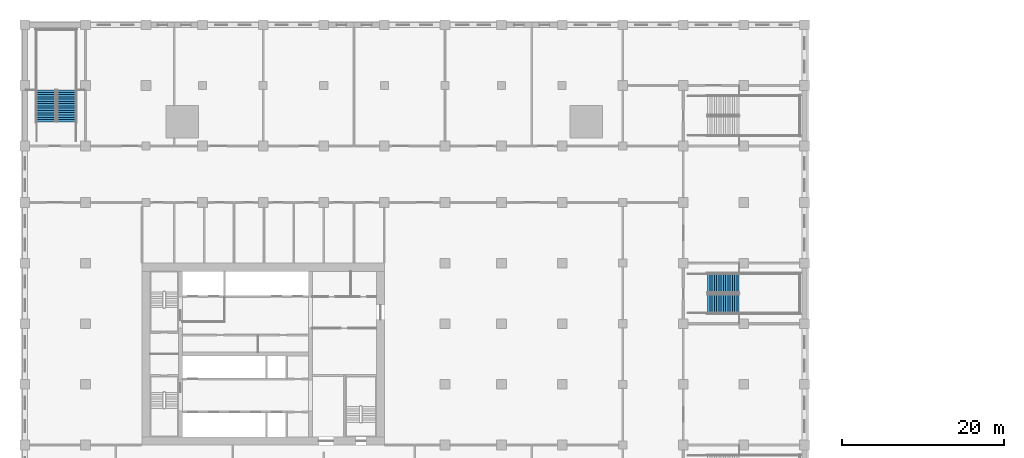
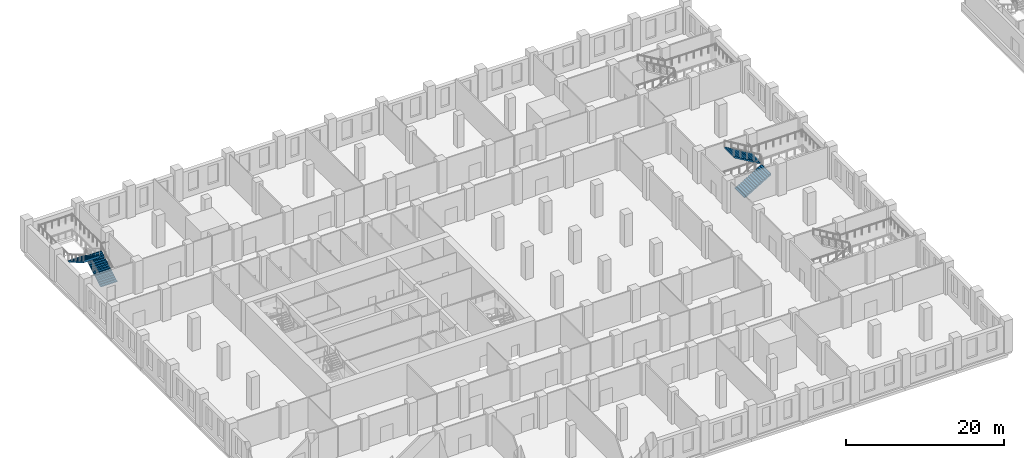
# One storey, part 17 of 32: 4 stair flights, 2 elements without a shape of their own.
"""IFC4 building model written with IfcOpenShell, lengths in metres."""

import ifcopenshell
import ifcopenshell.guid

model = None  # the IFC model being written
_history = None  # IfcOwnerHistory: only IFC2X3 demands one
_inside = {}  # id of a spatial element -> (the spatial element, [elements in it])
_under = {}  # id of a project, library or spatial element -> (it, [spatial elements below it])
_declared = {}  # id of a project -> (the project, [libraries it declares])
_typed = {}  # id of a type object -> (the type object, [elements of that type])
_made_of = {}  # id of a material, layer set ... -> (it, [elements and type objects made of it])


def new_model(schema):
    """Start an empty IFC model of exactly this schema.

    Asked for "IFC4X3", IfcOpenShell would pick the latest addendum, in which some entities
    have other attributes; the version numbers below select the first issue.
    IFC2X3 requires an IfcOwnerHistory on every rooted entity: one is made here for all.
    """
    global model, _history
    if schema == "IFC4X3":
        model = ifcopenshell.file(schema_version=(4, 3, 0, 0))
    else:
        model = ifcopenshell.file(schema=schema)
    _inside.clear()
    _under.clear()
    _declared.clear()
    _typed.clear()
    _made_of.clear()
    _history = None
    if model.schema == "IFC2X3":
        org = make("IfcOrganization", Name="unknown")
        user = make(
            "IfcPersonAndOrganization",
            ThePerson=make("IfcPerson", FamilyName="unknown"),
            TheOrganization=org,
        )
        app = make(
            "IfcApplication",
            ApplicationDeveloper=org,
            Version="unknown",
            ApplicationFullName="unknown",
            ApplicationIdentifier="unknown",
        )
        _history = make(
            "IfcOwnerHistory",
            OwningUser=user,
            OwningApplication=app,
            ChangeAction="ADDED",
            CreationDate=0,
        )
    return model


def make(cls, **values):
    """One entity of the class cls with the attributes given. An attribute that is None is left unset."""
    return model.create_entity(
        cls, **{name: value for name, value in values.items() if value is not None}
    )


def rooted(cls, **values):
    """An entity with a GlobalId (a new one), such as an element, a storey or a relation."""
    return make(cls, GlobalId=ifcopenshell.guid.new(), OwnerHistory=_history, **values)


def si_unit(unit_type, name, prefix=None):
    """IfcSIUnit, for example si_unit("LENGTHUNIT", "METRE", prefix="MILLI")."""
    return make("IfcSIUnit", UnitType=unit_type, Prefix=prefix, Name=name)


def assignment(units):
    """IfcUnitAssignment: the units of a project."""
    return None if units is None else make("IfcUnitAssignment", Units=units)


def point(xyz):
    """IfcCartesianPoint."""
    return None if xyz is None else make("IfcCartesianPoint", Coordinates=xyz)


def direction(xyz):
    """IfcDirection."""
    return None if xyz is None else make("IfcDirection", DirectionRatios=xyz)


def frame(location, z_axis=None, x_axis=None):
    """IfcAxis2Placement3D, a coordinate frame: its origin and axes. An axis left out is left unset."""
    return make(
        "IfcAxis2Placement3D",
        Location=point(location),
        Axis=direction(z_axis),
        RefDirection=direction(x_axis),
    )


def origin():
    """The frame at (0, 0, 0) with its axes left unset."""
    return frame((0.0, 0.0, 0.0))


def place(relative_to, where):
    """IfcLocalPlacement: puts the frame where relative to a parent placement (None: the world)."""
    return make(
        "IfcLocalPlacement", PlacementRelTo=relative_to, RelativePlacement=where
    )


def context(
    kind, dimensions, precision=None, world=None, true_north=None, identifier=None
):
    """IfcGeometricRepresentationContext, for example the 3D "Model" context."""
    return make(
        "IfcGeometricRepresentationContext",
        ContextIdentifier=identifier,
        ContextType=kind,
        CoordinateSpaceDimension=dimensions,
        Precision=precision,
        WorldCoordinateSystem=world,
        TrueNorth=true_north,
    )


def subcontext(parent, identifier, kind, view, scale=None):
    """IfcGeometricRepresentationSubContext, for example "Body" below "Model"."""
    return make(
        "IfcGeometricRepresentationSubContext",
        ContextIdentifier=identifier,
        ContextType=kind,
        ParentContext=parent,
        TargetScale=scale,
        TargetView=view,
    )


def project(units=None, contexts=None):
    """IfcProject with its units and contexts."""
    return rooted(
        "IfcProject",
        Name="project",
        RepresentationContexts=contexts,
        UnitsInContext=assignment(units),
    )


def spatial(cls, under=None, at=None, **own):
    """A site, building, storey or space (cls), placed at a placement, below another one or the project."""
    s = rooted(cls, ObjectPlacement=at, **own)
    if under is not None:
        _under.setdefault(under.id(), (under, []))[1].append(s)
    return s


def polyline(points):
    """IfcPolyline through the points."""
    return make("IfcPolyline", Points=[point(p) for p in points])


def outline(outer, holes=None, kind="AREA"):
    """IfcArbitraryClosedProfileDef: a profile drawn as a closed curve; with holes, ...WithVoids."""
    if holes is None:
        return make("IfcArbitraryClosedProfileDef", ProfileType=kind, OuterCurve=outer)
    return make(
        "IfcArbitraryProfileDefWithVoids",
        ProfileType=kind,
        OuterCurve=outer,
        InnerCurves=holes,
    )


def extrude(swept, where, along, depth):
    """IfcExtrudedAreaSolid: the profile swept, set in the frame where, extruded along a direction by depth."""
    return make(
        "IfcExtrudedAreaSolid",
        SweptArea=swept,
        Position=where,
        ExtrudedDirection=direction(along),
        Depth=depth,
    )


def shape(context_of_items, identifier, shape_type, items):
    """IfcShapeRepresentation: the items that make up one representation, for example the "Body"."""
    return make(
        "IfcShapeRepresentation",
        ContextOfItems=context_of_items,
        RepresentationIdentifier=identifier,
        RepresentationType=shape_type,
        Items=items,
    )


def material(Name=None, Category=None):
    """IfcMaterial."""
    return make("IfcMaterial", Name=Name, Category=Category)


def made_of(thing, what):
    """Note that an element or type object is made of a material, layer set ...; save() writes the relation."""
    if what is not None:
        _made_of.setdefault(what.id(), (what, []))[1].append(thing)
    return thing


def type_object(cls, material=None, **own):
    """A type object (cls), such as IfcWallType, which elements share."""
    return made_of(rooted(cls, **own), material)


def element(
    cls,
    number,
    at=None,
    inside=None,
    cuts=None,
    type_object=None,
    material=None,
    context=None,
    identifier="Body",
    shape_type=None,
    held_by="IfcProductDefinitionShape",
    body=None,
    shapes=None,
    **own,
):
    """One element of the class cls, such as IfcWall. Its Tag is "e" and its number.

    at: its placement. inside: the storey or other place that contains it. cuts: it is an
    opening in that element (IfcRelVoidsElement). A single representation is given by context,
    identifier, shape_type and body (its items); several are given by shapes. held_by: the class
    of the entity that holds the representations. save() writes the other relations.
    """
    e = rooted(cls, Tag="e%d" % number, ObjectPlacement=at, **own)
    if body is not None:
        shapes = [shape(context, identifier, shape_type, body)]
    if shapes is not None:
        e.Representation = make(held_by, Representations=shapes)
    if inside is not None:
        _inside.setdefault(inside.id(), (inside, []))[1].append(e)
    if cuts is not None:
        rooted(
            "IfcRelVoidsElement", RelatingBuildingElement=cuts, RelatedOpeningElement=e
        )
    if type_object is not None:
        _typed.setdefault(type_object.id(), (type_object, []))[1].append(e)
    return made_of(e, material)


def aggregate(whole, parts):
    """IfcRelAggregates: a whole, such as a stair, and the parts it consists of."""
    return rooted("IfcRelAggregates", RelatingObject=whole, RelatedObjects=parts)


def save(model, path):
    """Write the relations noted so far, then the file.

    IfcRelAggregates (storeys below a building ...), IfcRelContainedInSpatialStructure (elements
    in a storey), IfcRelDefinesByType, IfcRelAssociatesMaterial and IfcRelDeclares: one each for
    every whole, place, type object, material and project.
    """
    for whole, parts in _under.values():
        aggregate(whole, parts)
    for where, things in _inside.values():
        rooted(
            "IfcRelContainedInSpatialStructure",
            RelatedElements=things,
            RelatingStructure=where,
        )
    for kind, things in _typed.values():
        rooted("IfcRelDefinesByType", RelatedObjects=things, RelatingType=kind)
    for what, things in _made_of.values():
        rooted("IfcRelAssociatesMaterial", RelatedObjects=things, RelatingMaterial=what)
    for by, libraries in _declared.values():
        rooted("IfcRelDeclares", RelatingContext=by, RelatedDefinitions=libraries)
    model.write(path)


model = new_model("IFC4")

# Units and contexts
model_context = context("Model", 3, precision=1e-05, world=origin(), true_north=direction((0.0, 1.0)))
body_context = subcontext(model_context, "Body", "Model", "MODEL_VIEW")
ifc_project = project(units=[si_unit("LENGTHUNIT", "METRE"), si_unit("AREAUNIT", "SQUARE_METRE"), si_unit("VOLUMEUNIT", "CUBIC_METRE"), si_unit("PLANEANGLEUNIT", "RADIAN"), si_unit("MASSUNIT", "GRAM", prefix="KILO")], contexts=[model_context])

# Site, building, storey
site_placement = place(None, origin())
site = spatial("IfcSite", under=ifc_project, at=site_placement, CompositionType="ELEMENT")
building_placement = place(site_placement, origin())
building = spatial("IfcBuilding", under=site, at=building_placement, Name="Tamorin Gate", CompositionType="ELEMENT")
storey_placement = place(building_placement, frame((0.0, 0.0, 18.5)))
storey = spatial("IfcBuildingStorey", under=building, at=storey_placement, Name="L03", CompositionType="ELEMENT", Elevation=18.5)

# Stair, stair flights
ifc_material = material(Name="Reinforced concrete C32/40", Category="concrete")
stair_type = type_object("IfcStairType", Name="Podium stair PS", PredefinedType="HALF_TURN_STAIR", material=ifc_material)
stair_1_placement = place(storey_placement, origin())
stair_1 = element("IfcStair", 1, at=stair_1_placement, inside=storey, type_object=stair_type, Name="L03 Podium stair PS2", PredefinedType="HALF_TURN_STAIR")
stair_flight_type = type_object("IfcStairFlightType", Name="Stair flight 2400", PredefinedType="STRAIGHT", material=ifc_material)
stair_flight_1_placement = place(storey_placement, frame((20.675048828125, 100.0, 0.0), z_axis=(0.0, 0.0, 1.0), x_axis=(0.0, 1.0, 0.0)))
stair_flight_1 = element("IfcStairFlight", 2, at=stair_flight_1_placement, type_object=stair_flight_type, Name="PS2 flight 1", NumberOfRisers=15, NumberOfTreads=14, PredefinedType="STRAIGHT", RiserHeight=0.166666667, TreadLength=0.28, context=body_context, shape_type="SweptSolid", body=[
    extrude(outline(polyline([(-0.00048828125, 0.0), (-0.00048828125, 0.001708984375), (-0.00048828125, 0.00341796875), (-0.00048828125, 0.0048828125), (-0.00048828125, 0.006591796875), (-0.00048828125, 0.00830078125), (-0.00048828125, 0.010009765625), (-0.00048828125, 0.011474609375), (-0.00048828125, 0.01318359375), (-0.00048828125, 0.014892578125), (-0.00048828125, 0.0166015625), (-0.00048828125, 0.01806640625), (-0.00048828125, 0.019775390625), (-0.00048828125, 0.021484375), (-0.00048828125, 0.023193359375), (-0.00048828125, 0.024658203125), (-0.00048828125, 0.0263671875), (-0.00048828125, 0.028076171875), (-0.00048828125, 0.02978515625), (-0.00048828125, 0.03125), (-0.00048828125, 0.032958984375), (-0.00048828125, 0.03466796875), (-0.00048828125, 0.036376953125), (-0.00048828125, 0.037841796875), (-0.00048828125, 0.03955078125), (-0.00048828125, 0.041259765625), (-0.00048828125, 0.04296875), (-0.00048828125, 0.04443359375), (-0.00048828125, 0.046142578125), (-0.00048828125, 0.0478515625), (-0.00048828125, 0.049560546875), (-0.00048828125, 0.05126953125), (-0.00048828125, 0.052734375), (-0.00048828125, 0.054443359375), (-0.00048828125, 0.05615234375), (-0.00048828125, 0.057861328125), (-0.00048828125, 0.059326171875), (-0.00048828125, 0.06103515625), (-0.00048828125, 0.062744140625), (-0.00048828125, 0.064453125), (-0.00048828125, 0.06591796875), (-0.00048828125, 0.067626953125), (-0.00048828125, 0.0693359375), (-0.00048828125, 0.071044921875), (-0.00048828125, 0.072509765625), (-0.00048828125, 0.07421875), (-0.00048828125, 0.075927734375), (-0.00048828125, 0.07763671875), (-0.00048828125, 0.0791015625), (-0.00048828125, 0.080810546875), (-0.00048828125, 0.08251953125), (-0.00048828125, 0.084228515625), (-0.00048828125, 0.085693359375), (-0.00048828125, 0.08740234375), (-0.00048828125, 0.089111328125), (-0.00048828125, 0.0908203125), (-0.00048828125, 0.092529296875), (-0.00048828125, 0.093994140625), (-0.00048828125, 0.095703125), (-0.00048828125, 0.097412109375), (-0.00048828125, 0.09912109375), (-0.00048828125, 0.1005859375), (-0.00048828125, 0.102294921875), (-0.00048828125, 0.10400390625), (-0.00048828125, 0.105712890625), (-0.00048828125, 0.107177734375), (-0.00048828125, 0.10888671875), (-0.00048828125, 0.110595703125), (-0.00048828125, 0.1123046875), (-0.00048828125, 0.11376953125), (-0.00048828125, 0.115478515625), (-0.00048828125, 0.1171875), (-0.00048828125, 0.118896484375), (-0.00048828125, 0.120361328125), (-0.00048828125, 0.1220703125), (-0.00048828125, 0.123779296875), (-0.00048828125, 0.12548828125), (-0.00048828125, 0.126953125), (-0.00048828125, 0.128662109375), (-0.00048828125, 0.13037109375), (-0.00048828125, 0.132080078125), (-0.00048828125, 0.133544921875), (-0.00048828125, 0.13525390625), (-0.00048828125, 0.136962890625), (-0.00048828125, 0.138671875), (-0.00048828125, 0.140380859375), (-0.00048828125, 0.141845703125), (-0.00048828125, 0.1435546875), (-0.00048828125, 0.145263671875), (-0.00048828125, 0.14697265625), (-0.00048828125, 0.1484375), (-0.00048828125, 0.150146484375), (-0.00048828125, 0.15185546875), (-0.00048828125, 0.153564453125), (-0.00048828125, 0.155029296875), (-0.00048828125, 0.15673828125), (-0.00048828125, 0.158447265625), (-0.00048828125, 0.16015625), (-0.00048828125, 0.16162109375), (-0.00048828125, 0.163330078125), (-0.00048828125, 0.1650390625), (-0.00048828125, 0.166748046875), (0.280029296875, 0.166748046875), (0.280029296875, 0.333251953125), (0.56005859375, 0.333251953125), (0.56005859375, 0.5), (0.840087890625, 0.5), (0.840087890625, 0.666748046875), (1.1201171875, 0.666748046875), (1.1201171875, 0.833251953125), (1.39990234375, 0.833251953125), (1.39990234375, 1.0), (1.679931640625, 1.0), (1.679931640625, 1.166748046875), (1.9599609375, 1.166748046875), (1.9599609375, 1.333251953125), (2.239990234375, 1.333251953125), (2.239990234375, 1.5), (2.52001953125, 1.5), (2.52001953125, 1.666748046875), (2.800048828125, 1.666748046875), (2.800048828125, 1.833251953125), (3.080078125, 1.833251953125), (3.080078125, 2.0), (3.360107421875, 2.0), (3.360107421875, 2.166748046875), (3.639892578125, 2.166748046875), (3.639892578125, 2.333251953125), (3.919921875, 2.333251953125), (3.919921875, 2.5), (3.92041015625, 2.5), (3.92041015625, 2.49658203125), (3.92041015625, 2.4931640625), (3.92041015625, 2.48974609375), (3.92041015625, 2.486572265625), (3.92041015625, 2.483154296875), (3.92041015625, 2.479736328125), (3.92041015625, 2.476318359375), (3.92041015625, 2.472900390625), (3.92041015625, 2.469482421875), (3.92041015625, 2.46630859375), (3.92041015625, 2.462890625), (3.92041015625, 2.45947265625), (3.92041015625, 2.4560546875), (3.92041015625, 2.45263671875), (3.92041015625, 2.44921875), (3.92041015625, 2.446044921875), (3.92041015625, 2.442626953125), (3.92041015625, 2.439208984375), (3.92041015625, 2.435791015625), (3.92041015625, 2.432373046875), (3.92041015625, 2.428955078125), (3.92041015625, 2.42578125), (3.92041015625, 2.42236328125), (3.92041015625, 2.4189453125), (3.92041015625, 2.41552734375), (3.92041015625, 2.412109375), (3.92041015625, 2.40869140625), (3.92041015625, 2.405517578125), (3.92041015625, 2.402099609375), (3.92041015625, 2.398681640625), (3.92041015625, 2.395263671875), (3.92041015625, 2.391845703125), (3.92041015625, 2.388427734375), (3.92041015625, 2.38525390625), (3.92041015625, 2.3818359375), (3.92041015625, 2.37841796875), (3.92041015625, 2.375), (3.92041015625, 2.37158203125), (3.92041015625, 2.3681640625), (3.92041015625, 2.364990234375), (3.92041015625, 2.361572265625), (3.92041015625, 2.358154296875), (3.92041015625, 2.354736328125), (3.92041015625, 2.351318359375), (3.92041015625, 2.347900390625), (3.92041015625, 2.3447265625), (3.92041015625, 2.34130859375), (3.92041015625, 2.337890625), (3.92041015625, 2.33447265625), (3.92041015625, 2.3310546875), (3.92041015625, 2.32763671875), (3.92041015625, 2.324462890625), (3.92041015625, 2.321044921875), (3.92041015625, 2.317626953125), (3.92041015625, 2.314208984375), (3.92041015625, 2.310791015625), (3.92041015625, 2.307373046875), (3.92041015625, 2.30419921875), (3.92041015625, 2.30078125), (3.92041015625, 2.29736328125), (3.92041015625, 2.2939453125), (3.92041015625, 2.29052734375), (3.92041015625, 2.287109375), (3.92041015625, 2.283935546875), (3.92041015625, 2.280517578125), (3.92041015625, 2.277099609375), (3.92041015625, 2.273681640625), (3.92041015625, 2.270263671875), (3.92041015625, 2.266845703125), (3.92041015625, 2.263671875), (3.92041015625, 2.26025390625), (3.92041015625, 2.2568359375), (3.92041015625, 2.25341796875), (3.92041015625, 2.25), (3.92041015625, 2.24658203125), (3.92041015625, 2.243408203125), (3.92041015625, 2.239990234375), (3.92041015625, 2.236572265625), (3.92041015625, 2.233154296875), (3.92041015625, 2.229736328125), (3.92041015625, 2.226318359375), (3.92041015625, 2.22314453125), (3.92041015625, 2.2197265625), (3.92041015625, 2.21630859375), (3.92041015625, 2.212890625), (3.92041015625, 2.20947265625), (3.92041015625, 2.2060546875), (3.92041015625, 2.202880859375), (3.92041015625, 2.199462890625), (3.92041015625, 2.196044921875), (3.92041015625, 2.192626953125), (3.92041015625, 2.189208984375), (3.92041015625, 2.185791015625), (3.92041015625, 2.1826171875), (3.92041015625, 2.17919921875), (3.92041015625, 2.17578125), (3.92041015625, 2.17236328125), (3.92041015625, 2.1689453125), (3.92041015625, 2.16552734375), (3.92041015625, 2.162353515625), (3.92041015625, 2.158935546875), (3.919921875, 2.158935546875), (0.29296875, 0.0), (-0.00048828125, 0.0)])), frame((0.0, 1.199951171875, 0.0), z_axis=(0.0, -1.0, 0.0), x_axis=(1.0, 0.0, 0.0)), (0.0, 0.0, 1.0), 2.39990234375),
])
stair_flight_2_placement = place(storey_placement, frame((18.125, 103.919921875, 2.5), z_axis=(0.0, 0.0, 1.0), x_axis=(0.0, -1.0, 0.0)))
stair_flight_2 = element("IfcStairFlight", 3, at=stair_flight_2_placement, type_object=stair_flight_type, Name="PS2 flight 2", NumberOfRisers=15, NumberOfTreads=14, PredefinedType="STRAIGHT", RiserHeight=0.166666667, TreadLength=0.28, context=body_context, shape_type="SweptSolid", body=[
    extrude(outline(polyline([(-0.00048828125, 0.0), (-0.00048828125, 0.001708984375), (-0.00048828125, 0.00341796875), (-0.00048828125, 0.0048828125), (-0.00048828125, 0.006591796875), (-0.00048828125, 0.00830078125), (-0.00048828125, 0.010009765625), (-0.00048828125, 0.011474609375), (-0.00048828125, 0.01318359375), (-0.00048828125, 0.014892578125), (-0.00048828125, 0.0166015625), (-0.00048828125, 0.01806640625), (-0.00048828125, 0.019775390625), (-0.00048828125, 0.021484375), (-0.00048828125, 0.023193359375), (-0.00048828125, 0.024658203125), (-0.00048828125, 0.0263671875), (-0.00048828125, 0.028076171875), (-0.00048828125, 0.02978515625), (-0.00048828125, 0.03125), (-0.00048828125, 0.032958984375), (-0.00048828125, 0.03466796875), (-0.00048828125, 0.036376953125), (-0.00048828125, 0.037841796875), (-0.00048828125, 0.03955078125), (-0.00048828125, 0.041259765625), (-0.00048828125, 0.04296875), (-0.00048828125, 0.04443359375), (-0.00048828125, 0.046142578125), (-0.00048828125, 0.0478515625), (-0.00048828125, 0.049560546875), (-0.00048828125, 0.05126953125), (-0.00048828125, 0.052734375), (-0.00048828125, 0.054443359375), (-0.00048828125, 0.05615234375), (-0.00048828125, 0.057861328125), (-0.00048828125, 0.059326171875), (-0.00048828125, 0.06103515625), (-0.00048828125, 0.062744140625), (-0.00048828125, 0.064453125), (-0.00048828125, 0.06591796875), (-0.00048828125, 0.067626953125), (-0.00048828125, 0.0693359375), (-0.00048828125, 0.071044921875), (-0.00048828125, 0.072509765625), (-0.00048828125, 0.07421875), (-0.00048828125, 0.075927734375), (-0.00048828125, 0.07763671875), (-0.00048828125, 0.0791015625), (-0.00048828125, 0.080810546875), (-0.00048828125, 0.08251953125), (-0.00048828125, 0.084228515625), (-0.00048828125, 0.085693359375), (-0.00048828125, 0.08740234375), (-0.00048828125, 0.089111328125), (-0.00048828125, 0.0908203125), (-0.00048828125, 0.092529296875), (-0.00048828125, 0.093994140625), (-0.00048828125, 0.095703125), (-0.00048828125, 0.097412109375), (-0.00048828125, 0.09912109375), (-0.00048828125, 0.1005859375), (-0.00048828125, 0.102294921875), (-0.00048828125, 0.10400390625), (-0.00048828125, 0.105712890625), (-0.00048828125, 0.107177734375), (-0.00048828125, 0.10888671875), (-0.00048828125, 0.110595703125), (-0.00048828125, 0.1123046875), (-0.00048828125, 0.11376953125), (-0.00048828125, 0.115478515625), (-0.00048828125, 0.1171875), (-0.00048828125, 0.118896484375), (-0.00048828125, 0.120361328125), (-0.00048828125, 0.1220703125), (-0.00048828125, 0.123779296875), (-0.00048828125, 0.12548828125), (-0.00048828125, 0.126953125), (-0.00048828125, 0.128662109375), (-0.00048828125, 0.13037109375), (-0.00048828125, 0.132080078125), (-0.00048828125, 0.133544921875), (-0.00048828125, 0.13525390625), (-0.00048828125, 0.136962890625), (-0.00048828125, 0.138671875), (-0.00048828125, 0.140380859375), (-0.00048828125, 0.141845703125), (-0.00048828125, 0.1435546875), (-0.00048828125, 0.145263671875), (-0.00048828125, 0.14697265625), (-0.00048828125, 0.1484375), (-0.00048828125, 0.150146484375), (-0.00048828125, 0.15185546875), (-0.00048828125, 0.153564453125), (-0.00048828125, 0.155029296875), (-0.00048828125, 0.15673828125), (-0.00048828125, 0.158447265625), (-0.00048828125, 0.16015625), (-0.00048828125, 0.16162109375), (-0.00048828125, 0.163330078125), (-0.00048828125, 0.1650390625), (-0.00048828125, 0.166748046875), (0.280029296875, 0.166748046875), (0.280029296875, 0.333251953125), (0.56005859375, 0.333251953125), (0.56005859375, 0.5), (0.840087890625, 0.5), (0.840087890625, 0.666748046875), (1.1201171875, 0.666748046875), (1.1201171875, 0.833251953125), (1.39990234375, 0.833251953125), (1.39990234375, 1.0), (1.679931640625, 1.0), (1.679931640625, 1.166748046875), (1.9599609375, 1.166748046875), (1.9599609375, 1.333251953125), (2.239990234375, 1.333251953125), (2.239990234375, 1.5), (2.52001953125, 1.5), (2.52001953125, 1.666748046875), (2.800048828125, 1.666748046875), (2.800048828125, 1.833251953125), (3.080078125, 1.833251953125), (3.080078125, 2.0), (3.360107421875, 2.0), (3.360107421875, 2.166748046875), (3.639892578125, 2.166748046875), (3.639892578125, 2.333251953125), (3.919921875, 2.333251953125), (3.919921875, 2.5), (3.92041015625, 2.5), (3.92041015625, 2.49658203125), (3.92041015625, 2.4931640625), (3.92041015625, 2.48974609375), (3.92041015625, 2.486572265625), (3.92041015625, 2.483154296875), (3.92041015625, 2.479736328125), (3.92041015625, 2.476318359375), (3.92041015625, 2.472900390625), (3.92041015625, 2.469482421875), (3.92041015625, 2.46630859375), (3.92041015625, 2.462890625), (3.92041015625, 2.45947265625), (3.92041015625, 2.4560546875), (3.92041015625, 2.45263671875), (3.92041015625, 2.44921875), (3.92041015625, 2.446044921875), (3.92041015625, 2.442626953125), (3.92041015625, 2.439208984375), (3.92041015625, 2.435791015625), (3.92041015625, 2.432373046875), (3.92041015625, 2.428955078125), (3.92041015625, 2.42578125), (3.92041015625, 2.42236328125), (3.92041015625, 2.4189453125), (3.92041015625, 2.41552734375), (3.92041015625, 2.412109375), (3.92041015625, 2.40869140625), (3.92041015625, 2.405517578125), (3.92041015625, 2.402099609375), (3.92041015625, 2.398681640625), (3.92041015625, 2.395263671875), (3.92041015625, 2.391845703125), (3.92041015625, 2.388427734375), (3.92041015625, 2.38525390625), (3.92041015625, 2.3818359375), (3.92041015625, 2.37841796875), (3.92041015625, 2.375), (3.92041015625, 2.37158203125), (3.92041015625, 2.3681640625), (3.92041015625, 2.364990234375), (3.92041015625, 2.361572265625), (3.92041015625, 2.358154296875), (3.92041015625, 2.354736328125), (3.92041015625, 2.351318359375), (3.92041015625, 2.347900390625), (3.92041015625, 2.3447265625), (3.92041015625, 2.34130859375), (3.92041015625, 2.337890625), (3.92041015625, 2.33447265625), (3.92041015625, 2.3310546875), (3.92041015625, 2.32763671875), (3.92041015625, 2.324462890625), (3.92041015625, 2.321044921875), (3.92041015625, 2.317626953125), (3.92041015625, 2.314208984375), (3.92041015625, 2.310791015625), (3.92041015625, 2.307373046875), (3.92041015625, 2.30419921875), (3.92041015625, 2.30078125), (3.92041015625, 2.29736328125), (3.92041015625, 2.2939453125), (3.92041015625, 2.29052734375), (3.92041015625, 2.287109375), (3.92041015625, 2.283935546875), (3.92041015625, 2.280517578125), (3.92041015625, 2.277099609375), (3.92041015625, 2.273681640625), (3.92041015625, 2.270263671875), (3.92041015625, 2.266845703125), (3.92041015625, 2.263671875), (3.92041015625, 2.26025390625), (3.92041015625, 2.2568359375), (3.92041015625, 2.25341796875), (3.92041015625, 2.25), (3.92041015625, 2.24658203125), (3.92041015625, 2.243408203125), (3.92041015625, 2.239990234375), (3.92041015625, 2.236572265625), (3.92041015625, 2.233154296875), (3.92041015625, 2.229736328125), (3.92041015625, 2.226318359375), (3.92041015625, 2.22314453125), (3.92041015625, 2.2197265625), (3.92041015625, 2.21630859375), (3.92041015625, 2.212890625), (3.92041015625, 2.20947265625), (3.92041015625, 2.2060546875), (3.92041015625, 2.202880859375), (3.92041015625, 2.199462890625), (3.92041015625, 2.196044921875), (3.92041015625, 2.192626953125), (3.92041015625, 2.189208984375), (3.92041015625, 2.185791015625), (3.92041015625, 2.1826171875), (3.92041015625, 2.17919921875), (3.92041015625, 2.17578125), (3.92041015625, 2.17236328125), (3.92041015625, 2.1689453125), (3.92041015625, 2.16552734375), (3.92041015625, 2.162353515625), (3.92041015625, 2.158935546875), (3.919921875, 2.158935546875), (0.29296875, 0.0), (-0.00048828125, 0.0)])), frame((0.0, 1.199951171875, 0.0), z_axis=(0.0, -1.0, 0.0), x_axis=(1.0, 0.0, 0.0)), (0.0, 0.0, 1.0), 2.39990234375),
])
aggregate(stair_1, [stair_flight_1, stair_flight_2])

stair_2_placement = place(storey_placement, origin())
stair_2 = element("IfcStair", 4, at=stair_2_placement, inside=storey, type_object=stair_type, Name="L03 Podium stair PS5", PredefinedType="HALF_TURN_STAIR")
stair_flight_3_placement = place(storey_placement, frame((100.0, 77.47509765625, 0.0), z_axis=(0.0, 0.0, 1.0), x_axis=(1.0, 0.0, 0.0)))
stair_flight_3 = element("IfcStairFlight", 5, at=stair_flight_3_placement, type_object=stair_flight_type, Name="PS5 flight 1", NumberOfRisers=15, NumberOfTreads=14, PredefinedType="STRAIGHT", RiserHeight=0.166666667, TreadLength=0.28, context=body_context, shape_type="SweptSolid", body=[
    extrude(outline(polyline([(-0.00048828125, 0.0), (-0.00048828125, 0.001708984375), (-0.00048828125, 0.00341796875), (-0.00048828125, 0.0048828125), (-0.00048828125, 0.006591796875), (-0.00048828125, 0.00830078125), (-0.00048828125, 0.010009765625), (-0.00048828125, 0.011474609375), (-0.00048828125, 0.01318359375), (-0.00048828125, 0.014892578125), (-0.00048828125, 0.0166015625), (-0.00048828125, 0.01806640625), (-0.00048828125, 0.019775390625), (-0.00048828125, 0.021484375), (-0.00048828125, 0.023193359375), (-0.00048828125, 0.024658203125), (-0.00048828125, 0.0263671875), (-0.00048828125, 0.028076171875), (-0.00048828125, 0.02978515625), (-0.00048828125, 0.03125), (-0.00048828125, 0.032958984375), (-0.00048828125, 0.03466796875), (-0.00048828125, 0.036376953125), (-0.00048828125, 0.037841796875), (-0.00048828125, 0.03955078125), (-0.00048828125, 0.041259765625), (-0.00048828125, 0.04296875), (-0.00048828125, 0.04443359375), (-0.00048828125, 0.046142578125), (-0.00048828125, 0.0478515625), (-0.00048828125, 0.049560546875), (-0.00048828125, 0.05126953125), (-0.00048828125, 0.052734375), (-0.00048828125, 0.054443359375), (-0.00048828125, 0.05615234375), (-0.00048828125, 0.057861328125), (-0.00048828125, 0.059326171875), (-0.00048828125, 0.06103515625), (-0.00048828125, 0.062744140625), (-0.00048828125, 0.064453125), (-0.00048828125, 0.06591796875), (-0.00048828125, 0.067626953125), (-0.00048828125, 0.0693359375), (-0.00048828125, 0.071044921875), (-0.00048828125, 0.072509765625), (-0.00048828125, 0.07421875), (-0.00048828125, 0.075927734375), (-0.00048828125, 0.07763671875), (-0.00048828125, 0.0791015625), (-0.00048828125, 0.080810546875), (-0.00048828125, 0.08251953125), (-0.00048828125, 0.084228515625), (-0.00048828125, 0.085693359375), (-0.00048828125, 0.08740234375), (-0.00048828125, 0.089111328125), (-0.00048828125, 0.0908203125), (-0.00048828125, 0.092529296875), (-0.00048828125, 0.093994140625), (-0.00048828125, 0.095703125), (-0.00048828125, 0.097412109375), (-0.00048828125, 0.09912109375), (-0.00048828125, 0.1005859375), (-0.00048828125, 0.102294921875), (-0.00048828125, 0.10400390625), (-0.00048828125, 0.105712890625), (-0.00048828125, 0.107177734375), (-0.00048828125, 0.10888671875), (-0.00048828125, 0.110595703125), (-0.00048828125, 0.1123046875), (-0.00048828125, 0.11376953125), (-0.00048828125, 0.115478515625), (-0.00048828125, 0.1171875), (-0.00048828125, 0.118896484375), (-0.00048828125, 0.120361328125), (-0.00048828125, 0.1220703125), (-0.00048828125, 0.123779296875), (-0.00048828125, 0.12548828125), (-0.00048828125, 0.126953125), (-0.00048828125, 0.128662109375), (-0.00048828125, 0.13037109375), (-0.00048828125, 0.132080078125), (-0.00048828125, 0.133544921875), (-0.00048828125, 0.13525390625), (-0.00048828125, 0.136962890625), (-0.00048828125, 0.138671875), (-0.00048828125, 0.140380859375), (-0.00048828125, 0.141845703125), (-0.00048828125, 0.1435546875), (-0.00048828125, 0.145263671875), (-0.00048828125, 0.14697265625), (-0.00048828125, 0.1484375), (-0.00048828125, 0.150146484375), (-0.00048828125, 0.15185546875), (-0.00048828125, 0.153564453125), (-0.00048828125, 0.155029296875), (-0.00048828125, 0.15673828125), (-0.00048828125, 0.158447265625), (-0.00048828125, 0.16015625), (-0.00048828125, 0.16162109375), (-0.00048828125, 0.163330078125), (-0.00048828125, 0.1650390625), (-0.00048828125, 0.166748046875), (0.280029296875, 0.166748046875), (0.280029296875, 0.333251953125), (0.56005859375, 0.333251953125), (0.56005859375, 0.5), (0.840087890625, 0.5), (0.840087890625, 0.666748046875), (1.1201171875, 0.666748046875), (1.1201171875, 0.833251953125), (1.39990234375, 0.833251953125), (1.39990234375, 1.0), (1.679931640625, 1.0), (1.679931640625, 1.166748046875), (1.9599609375, 1.166748046875), (1.9599609375, 1.333251953125), (2.239990234375, 1.333251953125), (2.239990234375, 1.5), (2.52001953125, 1.5), (2.52001953125, 1.666748046875), (2.800048828125, 1.666748046875), (2.800048828125, 1.833251953125), (3.080078125, 1.833251953125), (3.080078125, 2.0), (3.360107421875, 2.0), (3.360107421875, 2.166748046875), (3.639892578125, 2.166748046875), (3.639892578125, 2.333251953125), (3.919921875, 2.333251953125), (3.919921875, 2.5), (3.92041015625, 2.5), (3.92041015625, 2.49658203125), (3.92041015625, 2.4931640625), (3.92041015625, 2.48974609375), (3.92041015625, 2.486572265625), (3.92041015625, 2.483154296875), (3.92041015625, 2.479736328125), (3.92041015625, 2.476318359375), (3.92041015625, 2.472900390625), (3.92041015625, 2.469482421875), (3.92041015625, 2.46630859375), (3.92041015625, 2.462890625), (3.92041015625, 2.45947265625), (3.92041015625, 2.4560546875), (3.92041015625, 2.45263671875), (3.92041015625, 2.44921875), (3.92041015625, 2.446044921875), (3.92041015625, 2.442626953125), (3.92041015625, 2.439208984375), (3.92041015625, 2.435791015625), (3.92041015625, 2.432373046875), (3.92041015625, 2.428955078125), (3.92041015625, 2.42578125), (3.92041015625, 2.42236328125), (3.92041015625, 2.4189453125), (3.92041015625, 2.41552734375), (3.92041015625, 2.412109375), (3.92041015625, 2.40869140625), (3.92041015625, 2.405517578125), (3.92041015625, 2.402099609375), (3.92041015625, 2.398681640625), (3.92041015625, 2.395263671875), (3.92041015625, 2.391845703125), (3.92041015625, 2.388427734375), (3.92041015625, 2.38525390625), (3.92041015625, 2.3818359375), (3.92041015625, 2.37841796875), (3.92041015625, 2.375), (3.92041015625, 2.37158203125), (3.92041015625, 2.3681640625), (3.92041015625, 2.364990234375), (3.92041015625, 2.361572265625), (3.92041015625, 2.358154296875), (3.92041015625, 2.354736328125), (3.92041015625, 2.351318359375), (3.92041015625, 2.347900390625), (3.92041015625, 2.3447265625), (3.92041015625, 2.34130859375), (3.92041015625, 2.337890625), (3.92041015625, 2.33447265625), (3.92041015625, 2.3310546875), (3.92041015625, 2.32763671875), (3.92041015625, 2.324462890625), (3.92041015625, 2.321044921875), (3.92041015625, 2.317626953125), (3.92041015625, 2.314208984375), (3.92041015625, 2.310791015625), (3.92041015625, 2.307373046875), (3.92041015625, 2.30419921875), (3.92041015625, 2.30078125), (3.92041015625, 2.29736328125), (3.92041015625, 2.2939453125), (3.92041015625, 2.29052734375), (3.92041015625, 2.287109375), (3.92041015625, 2.283935546875), (3.92041015625, 2.280517578125), (3.92041015625, 2.277099609375), (3.92041015625, 2.273681640625), (3.92041015625, 2.270263671875), (3.92041015625, 2.266845703125), (3.92041015625, 2.263671875), (3.92041015625, 2.26025390625), (3.92041015625, 2.2568359375), (3.92041015625, 2.25341796875), (3.92041015625, 2.25), (3.92041015625, 2.24658203125), (3.92041015625, 2.243408203125), (3.92041015625, 2.239990234375), (3.92041015625, 2.236572265625), (3.92041015625, 2.233154296875), (3.92041015625, 2.229736328125), (3.92041015625, 2.226318359375), (3.92041015625, 2.22314453125), (3.92041015625, 2.2197265625), (3.92041015625, 2.21630859375), (3.92041015625, 2.212890625), (3.92041015625, 2.20947265625), (3.92041015625, 2.2060546875), (3.92041015625, 2.202880859375), (3.92041015625, 2.199462890625), (3.92041015625, 2.196044921875), (3.92041015625, 2.192626953125), (3.92041015625, 2.189208984375), (3.92041015625, 2.185791015625), (3.92041015625, 2.1826171875), (3.92041015625, 2.17919921875), (3.92041015625, 2.17578125), (3.92041015625, 2.17236328125), (3.92041015625, 2.1689453125), (3.92041015625, 2.16552734375), (3.92041015625, 2.162353515625), (3.92041015625, 2.158935546875), (3.919921875, 2.158935546875), (0.29296875, 0.0), (-0.00048828125, 0.0)])), frame((0.0, 1.199951171875, 0.0), z_axis=(0.0, -1.0, 0.0), x_axis=(1.0, 0.0, 0.0)), (0.0, 0.0, 1.0), 2.39990234375),
])
stair_flight_4_placement = place(storey_placement, frame((103.919921875, 80.02490234375, 2.5), z_axis=(0.0, 0.0, 1.0), x_axis=(-1.0, 0.0, 0.0)))
stair_flight_4 = element("IfcStairFlight", 6, at=stair_flight_4_placement, type_object=stair_flight_type, Name="PS5 flight 2", NumberOfRisers=15, NumberOfTreads=14, PredefinedType="STRAIGHT", RiserHeight=0.166666667, TreadLength=0.28, context=body_context, shape_type="SweptSolid", body=[
    extrude(outline(polyline([(-0.00048828125, 0.0), (-0.00048828125, 0.001708984375), (-0.00048828125, 0.00341796875), (-0.00048828125, 0.0048828125), (-0.00048828125, 0.006591796875), (-0.00048828125, 0.00830078125), (-0.00048828125, 0.010009765625), (-0.00048828125, 0.011474609375), (-0.00048828125, 0.01318359375), (-0.00048828125, 0.014892578125), (-0.00048828125, 0.0166015625), (-0.00048828125, 0.01806640625), (-0.00048828125, 0.019775390625), (-0.00048828125, 0.021484375), (-0.00048828125, 0.023193359375), (-0.00048828125, 0.024658203125), (-0.00048828125, 0.0263671875), (-0.00048828125, 0.028076171875), (-0.00048828125, 0.02978515625), (-0.00048828125, 0.03125), (-0.00048828125, 0.032958984375), (-0.00048828125, 0.03466796875), (-0.00048828125, 0.036376953125), (-0.00048828125, 0.037841796875), (-0.00048828125, 0.03955078125), (-0.00048828125, 0.041259765625), (-0.00048828125, 0.04296875), (-0.00048828125, 0.04443359375), (-0.00048828125, 0.046142578125), (-0.00048828125, 0.0478515625), (-0.00048828125, 0.049560546875), (-0.00048828125, 0.05126953125), (-0.00048828125, 0.052734375), (-0.00048828125, 0.054443359375), (-0.00048828125, 0.05615234375), (-0.00048828125, 0.057861328125), (-0.00048828125, 0.059326171875), (-0.00048828125, 0.06103515625), (-0.00048828125, 0.062744140625), (-0.00048828125, 0.064453125), (-0.00048828125, 0.06591796875), (-0.00048828125, 0.067626953125), (-0.00048828125, 0.0693359375), (-0.00048828125, 0.071044921875), (-0.00048828125, 0.072509765625), (-0.00048828125, 0.07421875), (-0.00048828125, 0.075927734375), (-0.00048828125, 0.07763671875), (-0.00048828125, 0.0791015625), (-0.00048828125, 0.080810546875), (-0.00048828125, 0.08251953125), (-0.00048828125, 0.084228515625), (-0.00048828125, 0.085693359375), (-0.00048828125, 0.08740234375), (-0.00048828125, 0.089111328125), (-0.00048828125, 0.0908203125), (-0.00048828125, 0.092529296875), (-0.00048828125, 0.093994140625), (-0.00048828125, 0.095703125), (-0.00048828125, 0.097412109375), (-0.00048828125, 0.09912109375), (-0.00048828125, 0.1005859375), (-0.00048828125, 0.102294921875), (-0.00048828125, 0.10400390625), (-0.00048828125, 0.105712890625), (-0.00048828125, 0.107177734375), (-0.00048828125, 0.10888671875), (-0.00048828125, 0.110595703125), (-0.00048828125, 0.1123046875), (-0.00048828125, 0.11376953125), (-0.00048828125, 0.115478515625), (-0.00048828125, 0.1171875), (-0.00048828125, 0.118896484375), (-0.00048828125, 0.120361328125), (-0.00048828125, 0.1220703125), (-0.00048828125, 0.123779296875), (-0.00048828125, 0.12548828125), (-0.00048828125, 0.126953125), (-0.00048828125, 0.128662109375), (-0.00048828125, 0.13037109375), (-0.00048828125, 0.132080078125), (-0.00048828125, 0.133544921875), (-0.00048828125, 0.13525390625), (-0.00048828125, 0.136962890625), (-0.00048828125, 0.138671875), (-0.00048828125, 0.140380859375), (-0.00048828125, 0.141845703125), (-0.00048828125, 0.1435546875), (-0.00048828125, 0.145263671875), (-0.00048828125, 0.14697265625), (-0.00048828125, 0.1484375), (-0.00048828125, 0.150146484375), (-0.00048828125, 0.15185546875), (-0.00048828125, 0.153564453125), (-0.00048828125, 0.155029296875), (-0.00048828125, 0.15673828125), (-0.00048828125, 0.158447265625), (-0.00048828125, 0.16015625), (-0.00048828125, 0.16162109375), (-0.00048828125, 0.163330078125), (-0.00048828125, 0.1650390625), (-0.00048828125, 0.166748046875), (0.280029296875, 0.166748046875), (0.280029296875, 0.333251953125), (0.56005859375, 0.333251953125), (0.56005859375, 0.5), (0.840087890625, 0.5), (0.840087890625, 0.666748046875), (1.1201171875, 0.666748046875), (1.1201171875, 0.833251953125), (1.39990234375, 0.833251953125), (1.39990234375, 1.0), (1.679931640625, 1.0), (1.679931640625, 1.166748046875), (1.9599609375, 1.166748046875), (1.9599609375, 1.333251953125), (2.239990234375, 1.333251953125), (2.239990234375, 1.5), (2.52001953125, 1.5), (2.52001953125, 1.666748046875), (2.800048828125, 1.666748046875), (2.800048828125, 1.833251953125), (3.080078125, 1.833251953125), (3.080078125, 2.0), (3.360107421875, 2.0), (3.360107421875, 2.166748046875), (3.639892578125, 2.166748046875), (3.639892578125, 2.333251953125), (3.919921875, 2.333251953125), (3.919921875, 2.5), (3.92041015625, 2.5), (3.92041015625, 2.49658203125), (3.92041015625, 2.4931640625), (3.92041015625, 2.48974609375), (3.92041015625, 2.486572265625), (3.92041015625, 2.483154296875), (3.92041015625, 2.479736328125), (3.92041015625, 2.476318359375), (3.92041015625, 2.472900390625), (3.92041015625, 2.469482421875), (3.92041015625, 2.46630859375), (3.92041015625, 2.462890625), (3.92041015625, 2.45947265625), (3.92041015625, 2.4560546875), (3.92041015625, 2.45263671875), (3.92041015625, 2.44921875), (3.92041015625, 2.446044921875), (3.92041015625, 2.442626953125), (3.92041015625, 2.439208984375), (3.92041015625, 2.435791015625), (3.92041015625, 2.432373046875), (3.92041015625, 2.428955078125), (3.92041015625, 2.42578125), (3.92041015625, 2.42236328125), (3.92041015625, 2.4189453125), (3.92041015625, 2.41552734375), (3.92041015625, 2.412109375), (3.92041015625, 2.40869140625), (3.92041015625, 2.405517578125), (3.92041015625, 2.402099609375), (3.92041015625, 2.398681640625), (3.92041015625, 2.395263671875), (3.92041015625, 2.391845703125), (3.92041015625, 2.388427734375), (3.92041015625, 2.38525390625), (3.92041015625, 2.3818359375), (3.92041015625, 2.37841796875), (3.92041015625, 2.375), (3.92041015625, 2.37158203125), (3.92041015625, 2.3681640625), (3.92041015625, 2.364990234375), (3.92041015625, 2.361572265625), (3.92041015625, 2.358154296875), (3.92041015625, 2.354736328125), (3.92041015625, 2.351318359375), (3.92041015625, 2.347900390625), (3.92041015625, 2.3447265625), (3.92041015625, 2.34130859375), (3.92041015625, 2.337890625), (3.92041015625, 2.33447265625), (3.92041015625, 2.3310546875), (3.92041015625, 2.32763671875), (3.92041015625, 2.324462890625), (3.92041015625, 2.321044921875), (3.92041015625, 2.317626953125), (3.92041015625, 2.314208984375), (3.92041015625, 2.310791015625), (3.92041015625, 2.307373046875), (3.92041015625, 2.30419921875), (3.92041015625, 2.30078125), (3.92041015625, 2.29736328125), (3.92041015625, 2.2939453125), (3.92041015625, 2.29052734375), (3.92041015625, 2.287109375), (3.92041015625, 2.283935546875), (3.92041015625, 2.280517578125), (3.92041015625, 2.277099609375), (3.92041015625, 2.273681640625), (3.92041015625, 2.270263671875), (3.92041015625, 2.266845703125), (3.92041015625, 2.263671875), (3.92041015625, 2.26025390625), (3.92041015625, 2.2568359375), (3.92041015625, 2.25341796875), (3.92041015625, 2.25), (3.92041015625, 2.24658203125), (3.92041015625, 2.243408203125), (3.92041015625, 2.239990234375), (3.92041015625, 2.236572265625), (3.92041015625, 2.233154296875), (3.92041015625, 2.229736328125), (3.92041015625, 2.226318359375), (3.92041015625, 2.22314453125), (3.92041015625, 2.2197265625), (3.92041015625, 2.21630859375), (3.92041015625, 2.212890625), (3.92041015625, 2.20947265625), (3.92041015625, 2.2060546875), (3.92041015625, 2.202880859375), (3.92041015625, 2.199462890625), (3.92041015625, 2.196044921875), (3.92041015625, 2.192626953125), (3.92041015625, 2.189208984375), (3.92041015625, 2.185791015625), (3.92041015625, 2.1826171875), (3.92041015625, 2.17919921875), (3.92041015625, 2.17578125), (3.92041015625, 2.17236328125), (3.92041015625, 2.1689453125), (3.92041015625, 2.16552734375), (3.92041015625, 2.162353515625), (3.92041015625, 2.158935546875), (3.919921875, 2.158935546875), (0.29296875, 0.0), (-0.00048828125, 0.0)])), frame((0.0, 1.199951171875, 0.0), z_axis=(0.0, -1.0, 0.0), x_axis=(1.0, 0.0, 0.0)), (0.0, 0.0, 1.0), 2.39990234375),
])
aggregate(stair_2, [stair_flight_3, stair_flight_4])

save(model, "model.ifc")
